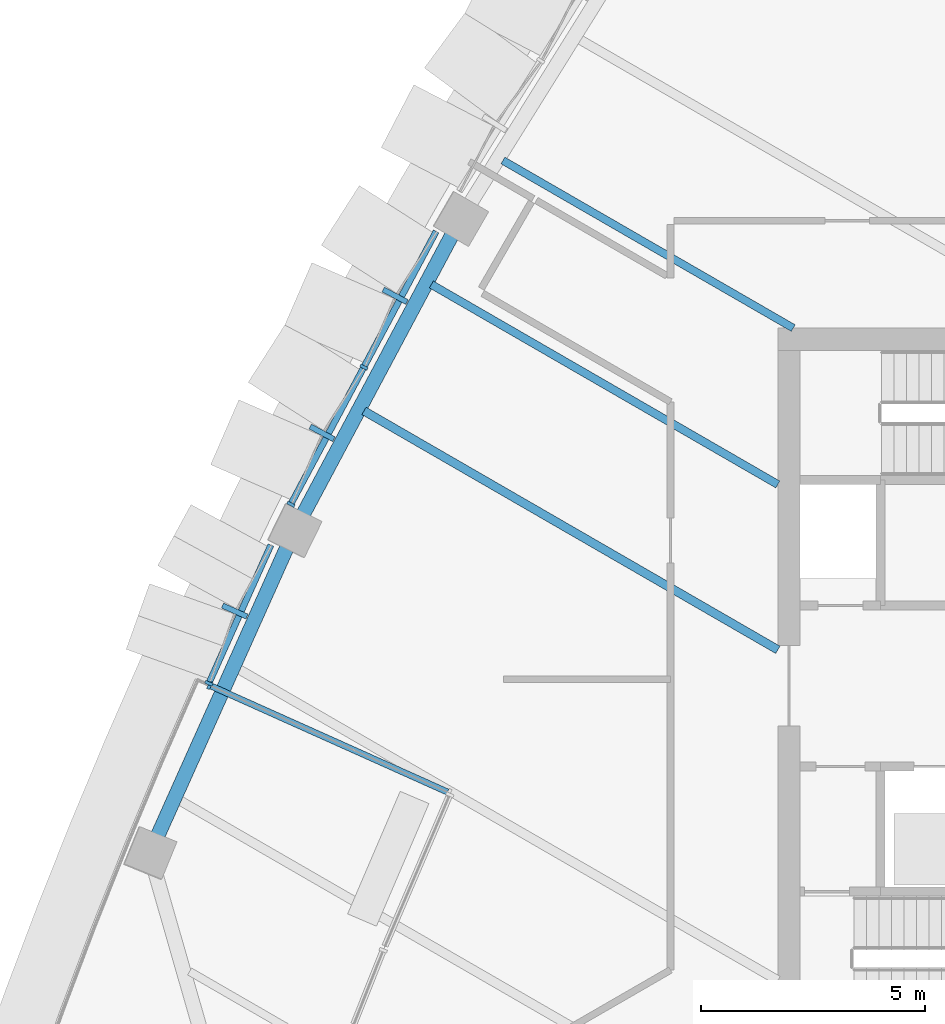
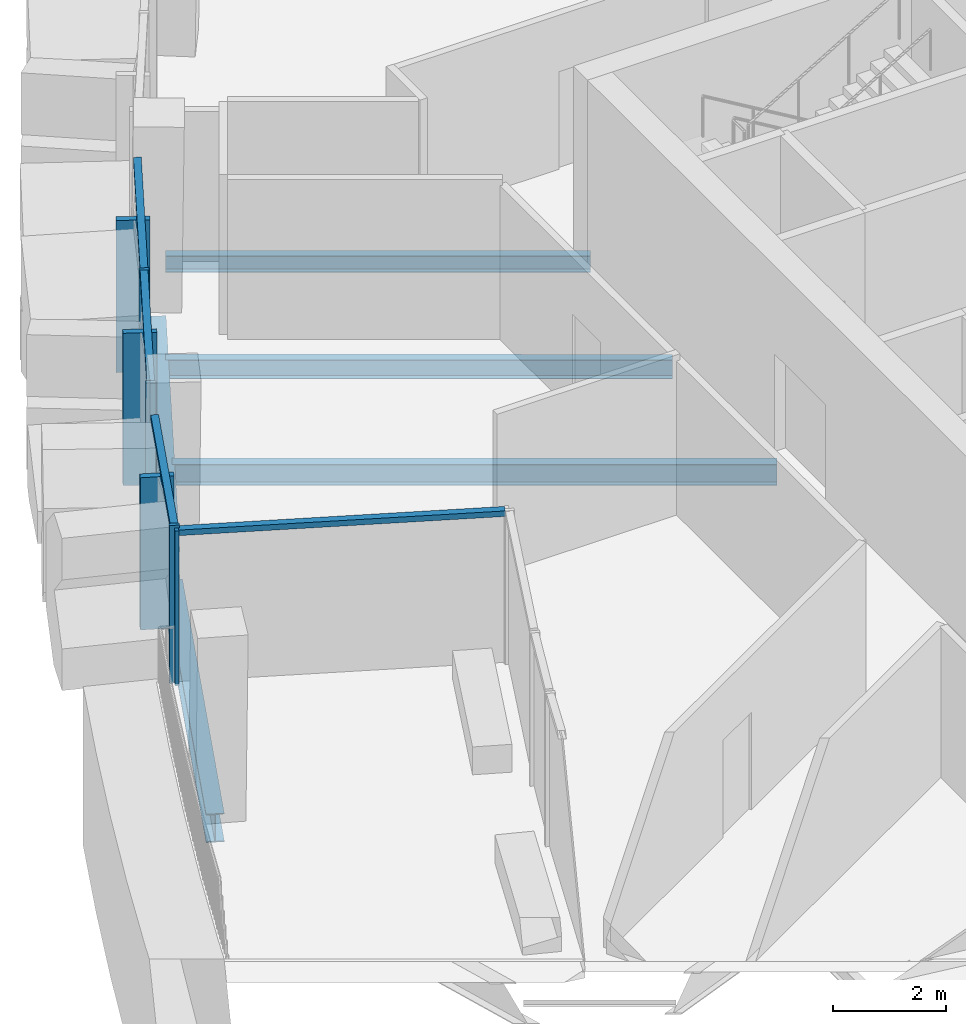
# One storey, part 3 of 22: 11 members, 5 beams, 3 elements without a shape of their own.
"""IFC4 building model written with IfcOpenShell, lengths in metres."""

from ifc_helpers import new_model, si_unit, direction, frame, origin, origin_2d, place, context, subcontext, project, spatial, rectangle, i_section, extrude, material, layer, layer_set, material_profile, profile_set, type_object, element, aggregate, save


model = new_model("IFC4")

# Units and contexts
model_context = context("Model", 3, precision=1e-05, world=origin(), true_north=direction((0.0, 1.0)))
body_context = subcontext(model_context, "Body", "Model", "MODEL_VIEW")
ifc_project = project(units=[si_unit("LENGTHUNIT", "METRE"), si_unit("AREAUNIT", "SQUARE_METRE"), si_unit("VOLUMEUNIT", "CUBIC_METRE"), si_unit("PLANEANGLEUNIT", "RADIAN"), si_unit("MASSUNIT", "GRAM", prefix="KILO")], contexts=[model_context])

# Site, building, storey
site_placement = place(None, origin())
site = spatial("IfcSite", under=ifc_project, at=site_placement, CompositionType="ELEMENT")
building_placement = place(site_placement, origin())
building = spatial("IfcBuilding", under=site, at=building_placement, Name="Sierra Prisma Convention Tower", CompositionType="ELEMENT")
storey_placement = place(building_placement, frame((0.0, 0.0, 227.0)))
storey = spatial("IfcBuildingStorey", under=building, at=storey_placement, Name="L50", CompositionType="ELEMENT", Elevation=227.0)

# Curtain wall, members
ifc_material_1 = material(Name="Aluminium and glass curtain wall", Category="aluminium")
ifc_layer_1 = layer(ifc_material_1, 0.179931640625)
ifc_layer_set_1 = layer_set([ifc_layer_1], Name="CW-2 Faceted crystal curtain wall")
curtain_wall_type_1 = type_object("IfcCurtainWallType", Name="CW-2 Faceted crystal curtain wall", PredefinedType="NOTDEFINED", material=ifc_layer_set_1)
curtain_wall_1_placement = place(storey_placement, origin())
curtain_wall_1 = element("IfcCurtainWall", 1, at=curtain_wall_1_placement, inside=storey, type_object=curtain_wall_type_1, Name="CW-2 NW4 L50", PredefinedType="NOTDEFINED")
ifc_material_2 = material(Name="Aluminium 6063-T6 bronze anodised", Category="aluminium")
ifc_material_profile_1 = material_profile(ifc_material_2, rectangle(XDim=0.1201171875, YDim=0.60009765625, at=origin_2d()), Name="ALU RIDGE BLADE 120x600")
ifc_profile_set_1 = profile_set([ifc_material_profile_1], Name="Aluminium 6063-T6 bronze anodised")
member_type_1 = type_object("IfcMemberType", Name="CW hip bronze", PredefinedType="MULLION", material=ifc_profile_set_1)
member_1_placement = place(storey_placement, frame((-19.555908203125, 8.7216796875, 0.0), z_axis=(0.0, 0.0, 1.0), x_axis=(-0.470229731402, -0.882544049725, 0.0)))
member_1 = element("IfcMember", 2, at=member_1_placement, type_object=member_type_1, Name="CW-2 ridge NW4.1", PredefinedType="MULLION", context=body_context, shape_type="SweptSolid", body=[
    extrude(rectangle(XDim=0.1201171875, YDim=0.60009765625, at=origin_2d()), origin(), (0.0, 0.0, 1.0), 3.280029296875),
])
member_2_placement = place(storey_placement, frame((-21.18896484375, 5.656982421875, 0.0), z_axis=(0.0, 0.0, 1.0), x_axis=(-0.470229731402, -0.882544049725, 0.0)))
member_2 = element("IfcMember", 3, at=member_2_placement, type_object=member_type_1, Name="CW-2 ridge NW4.2", PredefinedType="MULLION", context=body_context, shape_type="SweptSolid", body=[
    extrude(rectangle(XDim=0.1201171875, YDim=0.60009765625, at=origin_2d()), origin(), (0.0, 0.0, 1.0), 3.280029296875),
])

# Curtain wall, member
curtain_wall_2_placement = place(storey_placement, origin())
curtain_wall_2 = element("IfcCurtainWall", 4, at=curtain_wall_2_placement, inside=storey, type_object=curtain_wall_type_1, Name="CW-2 NW5 L50", PredefinedType="NOTDEFINED")
member_3_placement = place(storey_placement, frame((-23.1396484375, 1.6728515625, 0.0), z_axis=(0.0, 0.0, 1.0), x_axis=(-0.409089155157, -0.912494418138, 0.0)))
member_3 = element("IfcMember", 5, at=member_3_placement, type_object=member_type_1, Name="CW-2 ridge NW5.1", PredefinedType="MULLION", context=body_context, shape_type="SweptSolid", body=[
    extrude(rectangle(XDim=0.1201171875, YDim=0.60009765625, at=origin_2d()), origin(), (0.0, 0.0, 1.0), 3.280029296875),
])

# Member
ifc_material_3 = material(Name="Aluminium 6063-T6 bronze anodised", Category="aluminium")
ifc_material_profile_2 = material_profile(ifc_material_3, rectangle(XDim=0.179931640625, YDim=0.070068359375, at=origin_2d()), Name="ALU MULLION 70x180")
ifc_profile_set_2 = profile_set([ifc_material_profile_2], Name="Aluminium 6063-T6 bronze anodised")
member_type_2 = type_object("IfcMemberType", Name="CW mullion bronze", PredefinedType="MULLION", material=ifc_profile_set_2)
member_4_placement = place(storey_placement, frame((-20.254150390625, 7.12646484375, 0.0), z_axis=(0.0, 0.0, 1.0), x_axis=(0.882544049725, -0.470229731402, 0.0)))
member_4 = element("IfcMember", 6, at=member_4_placement, type_object=member_type_2, Name="CW-1 mullion NW4.2", PredefinedType="MULLION", context=body_context, shape_type="SweptSolid", body=[
    extrude(rectangle(XDim=0.179931640625, YDim=0.070068359375, at=origin_2d()), origin(), (0.0, 0.0, 1.0), 3.39990234375),
])

member_5_placement = place(storey_placement, frame((-21.88720703125, 4.0615234375, 0.0), z_axis=(0.0, 0.0, 1.0), x_axis=(0.882544049725, -0.470229731402, 0.0)))
member_5 = element("IfcMember", 7, at=member_5_placement, type_object=member_type_2, Name="CW-1 mullion NW4.3", PredefinedType="MULLION", context=body_context, shape_type="SweptSolid", body=[
    extrude(rectangle(XDim=0.179931640625, YDim=0.070068359375, at=origin_2d()), origin(), (0.0, 0.0, 1.0), 3.39990234375),
])

member_6_placement = place(storey_placement, frame((-23.71923828125, 0.057861328125, 0.0), z_axis=(0.0, 0.0, 1.0), x_axis=(0.912494418138, -0.409089155157, 0.0)))
member_6 = element("IfcMember", 8, at=member_6_placement, type_object=member_type_2, Name="CW-1 mullion NW5.2", PredefinedType="MULLION", context=body_context, shape_type="SweptSolid", body=[
    extrude(rectangle(XDim=0.179931640625, YDim=0.070068359375, at=origin_2d()), origin(), (0.0, 0.0, 1.0), 3.39990234375),
])

# Curtain wall, member
ifc_material_4 = material(Name="Aluminium and glass curtain wall", Category="aluminium")
ifc_layer_2 = layer(ifc_material_4, 0.179931640625)
ifc_layer_set_2 = layer_set([ifc_layer_2], Name="CW-6 Terrace recess curtain wall")
curtain_wall_type_2 = type_object("IfcCurtainWallType", Name="CW-6 Terrace recess curtain wall", PredefinedType="NOTDEFINED", material=ifc_layer_set_2)
curtain_wall_3_placement = place(storey_placement, origin())
curtain_wall_3 = element("IfcCurtainWall", 9, at=curtain_wall_3_placement, inside=storey, type_object=curtain_wall_type_2, Name="CW-6 RT1 L50", PredefinedType="NOTDEFINED")
member_7_placement = place(storey_placement, frame((-23.70166015625, 0.011474609375, 0.0), z_axis=(0.0, 0.0, 1.0), x_axis=(0.409089155157, 0.912494418138, 0.0)))
member_7 = element("IfcMember", 10, at=member_7_placement, type_object=member_type_2, Name="CW-6 mullion RT1.1", PredefinedType="MULLION", context=body_context, shape_type="SweptSolid", body=[
    extrude(rectangle(XDim=0.179931640625, YDim=0.070068359375, at=origin_2d()), origin(), (0.0, 0.0, 1.0), 3.340087890625),
])

# Member
ifc_material_5 = material(Name="Aluminium 6063-T6 bronze anodised", Category="aluminium")
ifc_material_profile_3 = material_profile(ifc_material_5, rectangle(XDim=0.139892578125, YDim=0.1201171875, at=origin_2d()), Name="ALU TRANSOM 120x140")
ifc_profile_set_3 = profile_set([ifc_material_profile_3], Name="Aluminium 6063-T6 bronze anodised")
member_type_3 = type_object("IfcMemberType", Name="CW transom bronze", PredefinedType="USERDEFINED", material=ifc_profile_set_3)
member_8_placement = place(storey_placement, frame((-18.6376953125, 10.160400390625, 3.340087890625), z_axis=(-0.470223258663, -0.882547498446, 0.0), x_axis=(0.882547498446, -0.470223258663, 0.0)))
member_8 = element("IfcMember", 11, at=member_8_placement, type_object=member_type_3, Name="CW-1 transom NW4.1", ObjectType="TRANSOM", PredefinedType="USERDEFINED", context=body_context, shape_type="SweptSolid", body=[
    extrude(rectangle(XDim=0.139892578125, YDim=0.1201171875, at=origin_2d()), origin(), (0.0, 0.0, 1.0), 3.40283203125),
])

member_9_placement = place(storey_placement, frame((-20.270751953125, 7.095458984375, 3.340087890625), z_axis=(-0.470197147862, -0.882561409842, 0.0), x_axis=(0.882561409842, -0.470197147862, 0.0)))
member_9 = element("IfcMember", 12, at=member_9_placement, type_object=member_type_3, Name="CW-1 transom NW4.2", ObjectType="TRANSOM", PredefinedType="USERDEFINED", context=body_context, shape_type="SweptSolid", body=[
    extrude(rectangle(XDim=0.139892578125, YDim=0.1201171875, at=origin_2d()), origin(), (0.0, 0.0, 1.0), 3.402587890625),
])

aggregate(curtain_wall_1, [member_4, member_5, member_8, member_1, member_9, member_2])

member_10_placement = place(storey_placement, frame((-22.333740234375, 3.148193359375, 3.340087890625), z_axis=(-0.409055904093, -0.912509324515, 0.0), x_axis=(0.912509324515, -0.409055904093, 0.0)))
member_10 = element("IfcMember", 13, at=member_10_placement, type_object=member_type_3, Name="CW-1 transom NW5.1", ObjectType="TRANSOM", PredefinedType="USERDEFINED", context=body_context, shape_type="SweptSolid", body=[
    extrude(rectangle(XDim=0.139892578125, YDim=0.1201171875, at=origin_2d()), origin(), (0.0, 0.0, 1.0), 3.351806640625),
])

aggregate(curtain_wall_2, [member_6, member_10, member_3])

member_11_placement = place(storey_placement, frame((-23.669677734375, -0.002685546875, 3.280029296875), z_axis=(0.912494677963, -0.409088575604, 0.0), x_axis=(0.409088575604, 0.912494677963, 0.0)))
member_11 = element("IfcMember", 14, at=member_11_placement, type_object=member_type_3, Name="CW-6 transom RT1.1", ObjectType="TRANSOM", PredefinedType="USERDEFINED", context=body_context, shape_type="SweptSolid", body=[
    extrude(rectangle(XDim=0.139892578125, YDim=0.1201171875, at=origin_2d()), origin(), (0.0, 0.0, 1.0), 5.79296875),
])

aggregate(curtain_wall_3, [member_7, member_11])

# Beams
ifc_material_6 = material(Name="Steel ASTM A992 Gr 50", Category="steel")
ifc_material_profile_4 = material_profile(ifc_material_6, i_section(OverallWidth=0.172119140625, OverallDepth=0.35791015625, WebThickness=0.0078125, FlangeThickness=0.01318359375, at=origin_2d()), Name="W360x57")
ifc_profile_set_4 = profile_set([ifc_material_profile_4], Name="Steel ASTM A992 Gr 50")
beam_type_1 = type_object("IfcBeamType", Name="Floor joist W360x57", PredefinedType="JOIST", material=ifc_profile_set_4)
beam_1_placement = place(storey_placement, frame((-17.145263671875, 11.74658203125, -0.3291015625), z_axis=(0.866033127857, -0.499986621275, 0.0), x_axis=(0.499986621275, 0.866033127857, 0.0)))
element("IfcBeam", 15, at=beam_1_placement, inside=storey, type_object=beam_type_1, Name="Floor joist L50 NW07", PredefinedType="JOIST", context=body_context, shape_type="SweptSolid", body=[
    extrude(i_section(OverallWidth=0.172119140625, OverallDepth=0.35791015625, WebThickness=0.0078125, FlangeThickness=0.01318359375, at=origin_2d()), origin(), (0.0, 0.0, 1.0), 7.493408203125),
])
ifc_material_7 = material(Name="Steel ASTM A992 Gr 50", Category="steel")
ifc_material_profile_5 = material_profile(ifc_material_7, i_section(OverallWidth=0.177978515625, OverallDepth=0.406982421875, WebThickness=0.0078125, FlangeThickness=0.0126953125, at=origin_2d()), Name="W410x60")
ifc_profile_set_5 = profile_set([ifc_material_profile_5], Name="Steel ASTM A992 Gr 50")
beam_type_2 = type_object("IfcBeamType", Name="Floor joist W410x60", PredefinedType="JOIST", material=ifc_profile_set_5)
beam_2_placement = place(storey_placement, frame((-18.745361328125, 8.974853515625, -0.353515625), z_axis=(0.866018752341, -0.500011520461, 0.0), x_axis=(0.500011520461, 0.866018752341, 0.0)))
element("IfcBeam", 16, at=beam_2_placement, inside=storey, type_object=beam_type_2, Name="Floor joist L50 NW08", PredefinedType="JOIST", context=body_context, shape_type="SweptSolid", body=[
    extrude(i_section(OverallWidth=0.177978515625, OverallDepth=0.406982421875, WebThickness=0.0078125, FlangeThickness=0.0126953125, at=origin_2d()), origin(), (0.0, 0.0, 1.0), 8.943603515625),
])
ifc_material_8 = material(Name="Steel ASTM A992 Gr 50", Category="steel")
ifc_material_profile_6 = material_profile(ifc_material_8, i_section(OverallWidth=0.18994140625, OverallDepth=0.45703125, WebThickness=0.009033203125, FlangeThickness=0.014404296875, at=origin_2d()), Name="W460x74")
ifc_profile_set_6 = profile_set([ifc_material_profile_6], Name="Steel ASTM A992 Gr 50")
beam_type_3 = type_object("IfcBeamType", Name="Floor joist W460x74", PredefinedType="JOIST", material=ifc_profile_set_6)
beam_3_placement = place(storey_placement, frame((-20.251220703125, 6.1484375, -0.37841796875), z_axis=(0.866030685915, -0.499990850969, 0.0), x_axis=(0.499990850969, 0.866030685915, 0.0)))
element("IfcBeam", 17, at=beam_3_placement, inside=storey, type_object=beam_type_3, Name="Floor joist L50 NW09", PredefinedType="JOIST", context=body_context, shape_type="SweptSolid", body=[
    extrude(i_section(OverallWidth=0.18994140625, OverallDepth=0.45703125, WebThickness=0.009033203125, FlangeThickness=0.014404296875, at=origin_2d()), origin(), (0.0, 0.0, 1.0), 10.682373046875),
])
ifc_material_9 = material(Name="Steel ASTM A992 Gr 50", Category="steel")
ifc_material_profile_7 = material_profile(ifc_material_9, i_section(OverallWidth=0.324951171875, OverallDepth=0.615966796875, WebThickness=0.013916015625, FlangeThickness=0.021484375, at=origin_2d()), Name="W610x174")
ifc_profile_set_7 = profile_set([ifc_material_profile_7], Name="Steel ASTM A992 Gr 50")
beam_type_4 = type_object("IfcBeamType", Name="Spandrel beam W610x174", PredefinedType="BEAM", material=ifc_profile_set_7)
beam_4_placement = place(storey_placement, frame((-18.245361328125, 10.15283203125, -0.4580078125), z_axis=(-0.470226065146, -0.882546003139, 0.0), x_axis=(0.882546003139, -0.470226065146, 0.0)))
element("IfcBeam", 18, at=beam_4_placement, inside=storey, type_object=beam_type_4, Name="Spandrel L50-16", PredefinedType="BEAM", context=body_context, shape_type="SweptSolid", body=[
    extrude(i_section(OverallWidth=0.324951171875, OverallDepth=0.615966796875, WebThickness=0.013916015625, FlangeThickness=0.021484375, at=origin_2d()), origin(), (0.0, 0.0, 1.0), 7.243408203125),
])
beam_5_placement = place(storey_placement, frame((-21.94189453125, 3.167236328125, -0.60791015625), z_axis=(-0.409091712406, -0.912493271669, 0.0), x_axis=(0.912493271669, -0.409091712406, 0.0)))
element("IfcBeam", 19, at=beam_5_placement, inside=storey, type_object=beam_type_4, Name="Spandrel L50-17", PredefinedType="BEAM", context=body_context, shape_type="SweptSolid", body=[
    extrude(i_section(OverallWidth=0.324951171875, OverallDepth=0.615966796875, WebThickness=0.013916015625, FlangeThickness=0.021484375, at=origin_2d()), origin(), (0.0, 0.0, 1.0), 7.2431640625),
])

save(model, "model.ifc")
